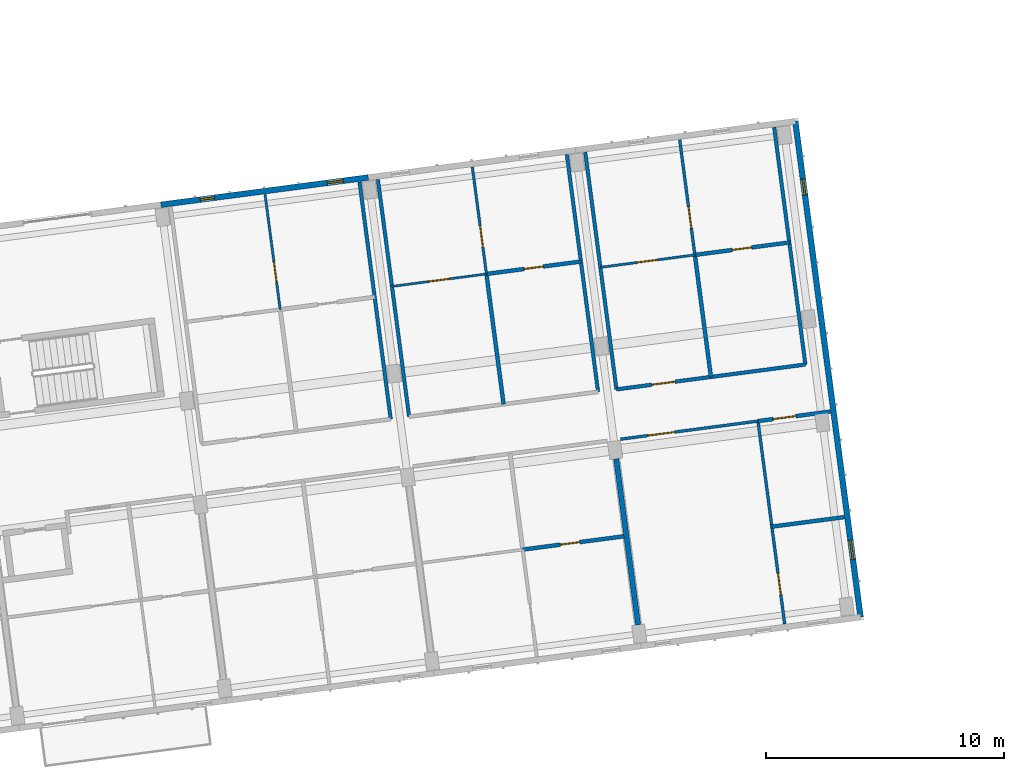
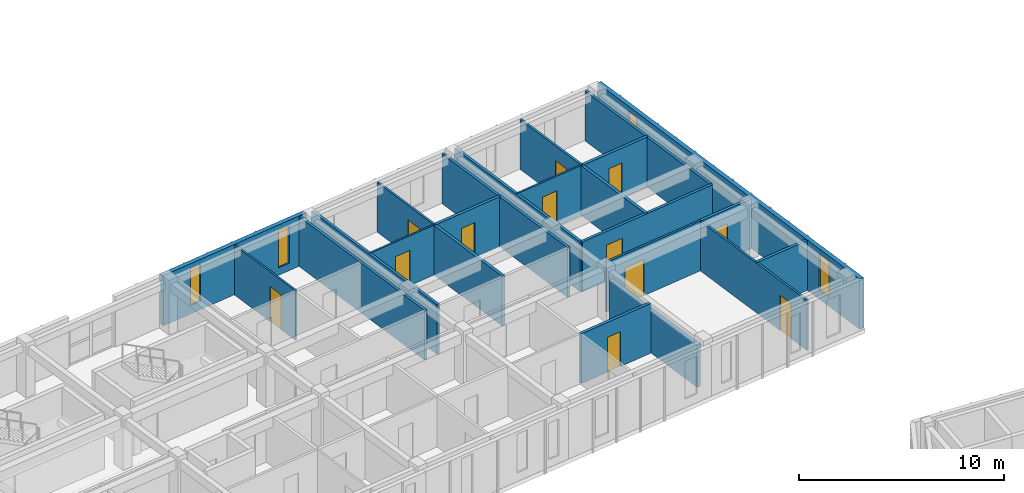
# One storey, part 24 of 66: 23 walls, 12 doors, 4 windows, 16 openings.
"""IFC4 building model written with IfcOpenShell, lengths in metres."""

from ifc_helpers import new_model, si_unit, direction, frame, frame_2d, origin, place, context, subcontext, project, spatial, rectangle, extrude, material, layer, layer_set, type_object, element, fill, save


model = new_model("IFC4")

# Units and contexts
model_context = context("Model", 3, precision=1e-05, world=origin(), true_north=direction((0.0, 1.0)))
body_context = subcontext(model_context, "Body", "Model", "MODEL_VIEW")
ifc_project = project(units=[si_unit("LENGTHUNIT", "METRE"), si_unit("AREAUNIT", "SQUARE_METRE"), si_unit("VOLUMEUNIT", "CUBIC_METRE"), si_unit("PLANEANGLEUNIT", "RADIAN"), si_unit("MASSUNIT", "GRAM", prefix="KILO")], contexts=[model_context])

# Site, building, storey
site_placement = place(None, origin())
site = spatial("IfcSite", under=ifc_project, at=site_placement, CompositionType="ELEMENT")
building_placement = place(site_placement, origin())
building = spatial("IfcBuilding", under=site, at=building_placement, Name="Kestramere Prow Commons", CompositionType="ELEMENT")
storey_placement = place(building_placement, frame((0.0, 0.0, 14.89990234375)))
storey = spatial("IfcBuildingStorey", under=building, at=storey_placement, Name="L04", CompositionType="ELEMENT", Elevation=14.89990234375)

# Wall, openings, windows
ifc_material_1 = material(Name="Fluoropolymer Standing-Seam Zinc-Aluminium Cladding", Category="aluminium")
ifc_layer_1 = layer(ifc_material_1, 0.239990234375)
ifc_layer_set_1 = layer_set([ifc_layer_1], Name="Fluoropolymer Standing-Seam Zinc-Aluminium Cladding")
wall_type_1 = type_object("IfcWallType", Name="EW-SEAM-240", PredefinedType="SOLIDWALL", material=ifc_layer_set_1)
wall_1_placement = place(storey_placement, frame((34.695068359375, 95.79541015625, 0.0), z_axis=(0.0, 0.0, 1.0), x_axis=(0.991447967712, 0.130502595073, 0.0)))
wall_1 = element("IfcWall", 1, at=wall_1_placement, inside=storey, type_object=wall_type_1, Name="Block A L04 North Standing-Seam Wall 4", PredefinedType="SOLIDWALL", context=body_context, shape_type="SweptSolid", body=[
    extrude(rectangle(XDim=8.800048828125, YDim=0.239990234375, at=frame_2d((4.39990234375, 0.0))), origin(), (0.0, 0.0, 1.0), 3.0),
])
opening_1_placement = place(wall_1_placement, frame((1.672119140625, 0.0, 0.5)))
opening_1 = element("IfcOpeningElement", 2, at=opening_1_placement, cuts=wall_1, Name="Opening WN-02", PredefinedType="OPENING", context=body_context, shape_type="SweptSolid", body=[
    extrude(rectangle(XDim=0.60009765625, YDim=2.219970703125, at=frame_2d((0.300048828125, 1.10986328125))), frame((0.0, 0.135009765625, 0.0), z_axis=(0.0, -1.0, 0.0), x_axis=(1.0, 0.0, 0.0)), (0.0, 0.0, 1.0), 0.27001953125),
])
opening_2_placement = place(wall_1_placement, frame((7.06591796875, 0.0, 0.43994140625)))
opening_2 = element("IfcOpeningElement", 3, at=opening_2_placement, cuts=wall_1, Name="Opening WN-06", PredefinedType="OPENING", context=body_context, shape_type="SweptSolid", body=[
    extrude(rectangle(XDim=0.679931640625, YDim=2.239990234375, at=frame_2d((0.33984375, 1.1201171875))), frame((0.0, 0.135009765625, 0.0), z_axis=(0.0, -1.0, 0.0), x_axis=(1.0, 0.0, 0.0)), (0.0, 0.0, 1.0), 0.27001953125),
])
ifc_material_2 = material(Name="Low-E Laminated Double Glazing", Category="glass")
window_type_1 = type_object("IfcWindowType", Name="WN-NAR-600A", PartitioningType="SINGLE_PANEL", PredefinedType="WINDOW", material=ifc_material_2)
window_1_placement = place(opening_1_placement, origin())
window_1 = element("IfcWindow", 4, at=window_1_placement, inside=storey, type_object=window_type_1, Name="WN-A-L04-N-3-0", OverallHeight=2.219970703125, OverallWidth=0.60009765625, PartitioningType="SINGLE_PANEL", PredefinedType="WINDOW", context=body_context, shape_type="SweptSolid", body=[
    extrude(rectangle(XDim=0.60009765625, YDim=2.219970703125, at=frame_2d((0.300048828125, 1.10986328125))), frame((0.0, 0.030029296875, 0.0), z_axis=(0.0, -1.0, 0.0), x_axis=(1.0, 0.0, 0.0)), (0.0, 0.0, 1.0), 0.06005859375),
])
fill(opening_1, window_1)
window_type_2 = type_object("IfcWindowType", Name="WN-NAR-680A", PartitioningType="SINGLE_PANEL", PredefinedType="WINDOW", material=ifc_material_2)
window_2_placement = place(opening_2_placement, origin())
window_2 = element("IfcWindow", 5, at=window_2_placement, inside=storey, type_object=window_type_2, Name="WN-A-L04-N-3-1", OverallHeight=2.239990234375, OverallWidth=0.679931640625, PartitioningType="SINGLE_PANEL", PredefinedType="WINDOW", context=body_context, shape_type="SweptSolid", body=[
    extrude(rectangle(XDim=0.679931640625, YDim=2.239990234375, at=frame_2d((0.33984375, 1.1201171875))), frame((0.0, 0.030029296875, 0.0), z_axis=(0.0, -1.0, 0.0), x_axis=(1.0, 0.0, 0.0)), (0.0, 0.0, 1.0), 0.06005859375),
])
fill(opening_2, window_2)

wall_2_placement = place(storey_placement, frame((61.3896484375, 99.309814453125, 0.0), z_axis=(0.0, 0.0, 1.0), x_axis=(0.13052411616, -0.99144513469, 0.0)))
wall_2 = element("IfcWall", 6, at=wall_2_placement, inside=storey, type_object=wall_type_1, Name="Block A L04 EAV Facet Wall", PredefinedType="SOLIDWALL", context=body_context, shape_type="SweptSolid", body=[
    extrude(rectangle(XDim=21.05029296875, YDim=0.239990234375, at=frame_2d((10.525146484375, 0.0))), origin(), (0.0, 0.0, 1.0), 3.0),
])
opening_3_placement = place(wall_2_placement, frame((2.449951171875, 0.0, 0.449951171875)))
opening_3 = element("IfcOpeningElement", 7, at=opening_3_placement, cuts=wall_2, Name="Opening WN-06", PredefinedType="OPENING", context=body_context, shape_type="SweptSolid", body=[
    extrude(rectangle(XDim=0.679931640625, YDim=2.239990234375, at=frame_2d((0.33984375, 1.1201171875))), frame((0.0, 0.135009765625, 0.0), z_axis=(0.0, -1.0, 0.0), x_axis=(1.0, 0.0, 0.0)), (0.0, 0.0, 1.0), 0.27001953125),
])
opening_4_placement = place(wall_2_placement, frame((17.780029296875, 0.0, 0.52001953125)))
opening_4 = element("IfcOpeningElement", 8, at=opening_4_placement, cuts=wall_2, Name="Opening WN-13", PredefinedType="OPENING", context=body_context, shape_type="SweptSolid", body=[
    extrude(rectangle(XDim=0.820068359375, YDim=2.179931640625, at=frame_2d((0.41015625, 1.08984375))), frame((0.0, 0.135009765625, 0.0), z_axis=(0.0, -1.0, 0.0), x_axis=(1.0, 0.0, 0.0)), (0.0, 0.0, 1.0), 0.27001953125),
])
window_3_placement = place(opening_3_placement, origin())
window_3 = element("IfcWindow", 9, at=window_3_placement, inside=storey, type_object=window_type_2, Name="WN-A-L04-EAV-0", OverallHeight=2.239990234375, OverallWidth=0.679931640625, PartitioningType="SINGLE_PANEL", PredefinedType="WINDOW", context=body_context, shape_type="SweptSolid", body=[
    extrude(rectangle(XDim=0.679931640625, YDim=2.239990234375, at=frame_2d((0.33984375, 1.1201171875))), frame((0.0, 0.030029296875, 0.0), z_axis=(0.0, -1.0, 0.0), x_axis=(1.0, 0.0, 0.0)), (0.0, 0.0, 1.0), 0.06005859375),
])
fill(opening_3, window_3)
window_type_3 = type_object("IfcWindowType", Name="WN-NAR-820A", PartitioningType="DOUBLE_PANEL_VERTICAL", PredefinedType="WINDOW", material=ifc_material_2)
window_4_placement = place(opening_4_placement, origin())
window_4 = element("IfcWindow", 10, at=window_4_placement, inside=storey, type_object=window_type_3, Name="WN-A-L04-EAV-1", OverallHeight=2.179931640625, OverallWidth=0.820068359375, PartitioningType="SINGLE_PANEL", PredefinedType="WINDOW", context=body_context, shape_type="SweptSolid", body=[
    extrude(rectangle(XDim=0.820068359375, YDim=2.179931640625, at=frame_2d((0.41015625, 1.08984375))), frame((0.0, 0.030029296875, 0.0), z_axis=(0.0, -1.0, 0.0), x_axis=(1.0, 0.0, 0.0)), (0.0, 0.0, 1.0), 0.06005859375),
])
fill(opening_4, window_4)

# Wall, opening, door
ifc_material_3 = material(Name="Fire-Rated Calcium Silicate Wall")
ifc_layer_2 = layer(ifc_material_3, 0.155029296875)
ifc_layer_set_2 = layer_set([ifc_layer_2], Name="Fire-Rated Calcium Silicate Wall")
wall_type_2 = type_object("IfcWallType", Name="W-FIRE-150", PredefinedType="PARTITIONING", material=ifc_layer_set_2)
wall_3_placement = place(storey_placement, frame((53.86328125, 88.02587890625, 0.0), z_axis=(0.0, 0.0, 1.0), x_axis=(0.991447973994, 0.130502547346, 0.0)))
wall_3 = element("IfcWall", 11, at=wall_3_placement, inside=storey, type_object=wall_type_2, Name="Interior Partition PW-A-L04-CN-5", PredefinedType="PARTITIONING", context=body_context, shape_type="SweptSolid", body=[
    extrude(rectangle(XDim=8.02001953125, YDim=0.155029296875, at=frame_2d((4.010009765625, 0.0))), origin(), (0.0, 0.0, 1.0), 2.97021484375),
])
opening_5_placement = place(wall_3_placement, frame((1.5048828125, 0.0, 0.0)))
opening_5 = element("IfcOpeningElement", 12, at=opening_5_placement, cuts=wall_3, Name="Opening ID-04", PredefinedType="OPENING", context=body_context, shape_type="SweptSolid", body=[
    extrude(rectangle(XDim=0.97998046875, YDim=2.14990234375, at=frame_2d((0.489990234375, 1.074951171875))), frame((0.0, 0.092529296875, 0.0), z_axis=(0.0, -1.0, 0.0), x_axis=(1.0, 0.0, 0.0)), (0.0, 0.0, 1.0), 0.18505859375),
])
ifc_material_4 = material(Name="Hardwood Fire-Rated Flat Entrance Door", Category="wood")
door_type_1 = type_object("IfcDoorType", Name="FD-ENT-01", OperationType="NOTDEFINED", PredefinedType="DOOR", material=ifc_material_4)
door_1_placement = place(opening_5_placement, origin())
door_1 = element("IfcDoor", 13, at=door_1_placement, inside=storey, type_object=door_type_1, Name="Interior Door DR-A-L04-ENT-N5", OperationType="SINGLE_SWING_RIGHT", OverallHeight=2.14990234375, OverallWidth=0.97998046875, PredefinedType="DOOR", context=body_context, shape_type="SweptSolid", body=[
    extrude(rectangle(XDim=0.97998046875, YDim=2.14990234375, at=frame_2d((0.489990234375, 1.074951171875))), frame((0.0, 0.02490234375, 0.0), z_axis=(0.0, -1.0, 0.0), x_axis=(1.0, 0.0, 0.0)), (0.0, 0.0, 1.0), 0.050048828125),
])
fill(opening_5, door_1)

ifc_material_5 = material(Name="Gypsum Acoustic Drywall")
ifc_layer_3 = layer(ifc_material_5, 0.10009765625)
ifc_layer_set_3 = layer_set([ifc_layer_3], Name="Gypsum Acoustic Drywall")
wall_type_3 = type_object("IfcWallType", Name="W-PART-100", PredefinedType="PARTITIONING", material=ifc_layer_set_3)
wall_4_placement = place(storey_placement, frame((39.71337890625, 91.3876953125, 0.0), z_axis=(0.0, 0.0, 1.0), x_axis=(-0.130557831536, 0.991440695465, 0.0)))
wall_4 = element("IfcWall", 14, at=wall_4_placement, inside=storey, type_object=wall_type_3, Name="Interior Partition PW-A-L04-LB-N3", PredefinedType="PARTITIONING", context=body_context, shape_type="SweptSolid", body=[
    extrude(rectangle(XDim=4.889892578125, YDim=0.10009765625, at=frame_2d((2.44482421875, 0.0))), origin(), (0.0, 0.0, 1.0), 2.97021484375),
])
opening_6_placement = place(wall_4_placement, frame((1.14990234375, 0.0, 0.0)))
opening_6 = element("IfcOpeningElement", 15, at=opening_6_placement, cuts=wall_4, Name="Opening ID-10", PredefinedType="OPENING", context=body_context, shape_type="SweptSolid", body=[
    extrude(rectangle(XDim=0.8798828125, YDim=2.10009765625, at=frame_2d((0.43994140625, 1.050048828125))), frame((0.0, 0.06494140625, 0.0), z_axis=(0.0, -1.0, 0.0), x_axis=(1.0, 0.0, 0.0)), (0.0, 0.0, 1.0), 0.130126953125),
])
ifc_material_6 = material(Name="Engineered Timber Bedroom Door", Category="wood")
door_type_2 = type_object("IfcDoorType", Name="D-RM-03", OperationType="NOTDEFINED", PredefinedType="DOOR", material=ifc_material_6)
door_2_placement = place(opening_6_placement, origin())
door_2 = element("IfcDoor", 16, at=door_2_placement, inside=storey, type_object=door_type_2, Name="Interior Door DR-A-L04-BED-N3", OperationType="SINGLE_SWING_LEFT", OverallHeight=2.10009765625, OverallWidth=0.8798828125, PredefinedType="DOOR", context=body_context, shape_type="SweptSolid", body=[
    extrude(rectangle(XDim=0.8798828125, YDim=2.10009765625, at=frame_2d((0.43994140625, 1.050048828125))), frame((0.0, 0.02490234375, 0.0), z_axis=(0.0, -1.0, 0.0), x_axis=(1.0, 0.0, 0.0)), (0.0, 0.0, 1.0), 0.050048828125),
])
fill(opening_6, door_2)

wall_5_placement = place(storey_placement, frame((53.18701171875, 93.161376953125, 0.0), z_axis=(0.0, 0.0, 1.0), x_axis=(0.991444553502, 0.130528530716, 0.0)))
wall_5 = element("IfcWall", 17, at=wall_5_placement, inside=storey, type_object=wall_type_3, Name="Interior Partition PW-A-L04-MIDN1-5", PredefinedType="PARTITIONING", context=body_context, shape_type="SweptSolid", body=[
    extrude(rectangle(XDim=4.01025390625, YDim=0.10009765625, at=frame_2d((2.005126953125, 0.0))), origin(), (0.0, 0.0, 1.0), 2.97021484375),
])
opening_7_placement = place(wall_5_placement, frame((1.554931640625, 0.0, 0.0)))
opening_7 = element("IfcOpeningElement", 18, at=opening_7_placement, cuts=wall_5, Name="Opening ID-10", PredefinedType="OPENING", context=body_context, shape_type="SweptSolid", body=[
    extrude(rectangle(XDim=0.8798828125, YDim=2.10009765625, at=frame_2d((0.43994140625, 1.050048828125))), frame((0.0, 0.06494140625, 0.0), z_axis=(0.0, -1.0, 0.0), x_axis=(1.0, 0.0, 0.0)), (0.0, 0.0, 1.0), 0.130126953125),
])
door_3_placement = place(opening_7_placement, origin())
door_3 = element("IfcDoor", 19, at=door_3_placement, inside=storey, type_object=door_type_2, Name="Interior Door DR-A-L04-KL-N5", OperationType="SINGLE_SWING_LEFT", OverallHeight=2.10009765625, OverallWidth=0.8798828125, PredefinedType="DOOR", context=body_context, shape_type="SweptSolid", body=[
    extrude(rectangle(XDim=0.8798828125, YDim=2.10009765625, at=frame_2d((0.43994140625, 1.050048828125))), frame((0.0, 0.02490234375, 0.0), z_axis=(0.0, -1.0, 0.0), x_axis=(1.0, 0.0, 0.0)), (0.0, 0.0, 1.0), 0.050048828125),
])
fill(opening_7, door_3)

ifc_layer_4 = layer(ifc_material_5, 0.110107421875)
ifc_layer_set_4 = layer_set([ifc_layer_4], Name="Gypsum Acoustic Drywall")
wall_type_4 = type_object("IfcWallType", Name="W-PART-110", PredefinedType="PARTITIONING", material=ifc_layer_set_4)
wall_6_placement = place(storey_placement, frame((48.392333984375, 92.88330078125, 0.0), z_axis=(0.0, 0.0, 1.0), x_axis=(-0.130518503748, 0.99144587355, 0.0)))
wall_6 = element("IfcWall", 20, at=wall_6_placement, inside=storey, type_object=wall_type_4, Name="Interior Partition PW-A-L04-LB-N4", PredefinedType="PARTITIONING", context=body_context, shape_type="SweptSolid", body=[
    extrude(rectangle(XDim=4.539794921875, YDim=0.110107421875, at=frame_2d((2.27001953125, 0.0))), origin(), (0.0, 0.0, 1.0), 2.97021484375),
])
opening_8_placement = place(wall_6_placement, frame((1.14990234375, 0.0, 0.0)))
opening_8 = element("IfcOpeningElement", 21, at=opening_8_placement, cuts=wall_6, Name="Opening ID-08", PredefinedType="OPENING", context=body_context, shape_type="SweptSolid", body=[
    extrude(rectangle(XDim=0.89990234375, YDim=2.10009765625, at=frame_2d((0.449951171875, 1.050048828125))), frame((0.0, 0.070068359375, 0.0), z_axis=(0.0, -1.0, 0.0), x_axis=(1.0, 0.0, 0.0)), (0.0, 0.0, 1.0), 0.14013671875),
])
ifc_material_7 = material(Name="Engineered Timber Flush Door", Category="wood")
door_type_3 = type_object("IfcDoorType", Name="D-RM-01", OperationType="NOTDEFINED", PredefinedType="DOOR", material=ifc_material_7)
door_4_placement = place(opening_8_placement, origin())
door_4 = element("IfcDoor", 22, at=door_4_placement, inside=storey, type_object=door_type_3, Name="Interior Door DR-A-L04-BED-N4", OperationType="SINGLE_SWING_LEFT", OverallHeight=2.10009765625, OverallWidth=0.89990234375, PredefinedType="DOOR", context=body_context, shape_type="SweptSolid", body=[
    extrude(rectangle(XDim=0.89990234375, YDim=2.10009765625, at=frame_2d((0.449951171875, 1.050048828125))), frame((0.0, 0.02490234375, 0.0), z_axis=(0.0, -1.0, 0.0), x_axis=(1.0, 0.0, 0.0)), (0.0, 0.0, 1.0), 0.050048828125),
])
fill(opening_8, door_4)

ifc_material_8 = material(Name="Lightweight Blockwork and Plaster", Category="masonry")
ifc_layer_5 = layer(ifc_material_8, 0.1201171875)
ifc_layer_set_5 = layer_set([ifc_layer_5], Name="Lightweight Blockwork and Plaster")
wall_type_5 = type_object("IfcWallType", Name="W-PART-120", PredefinedType="PARTITIONING", material=ifc_layer_set_5)
wall_7_placement = place(storey_placement, frame((54.033203125, 85.929931640625, 0.0), z_axis=(0.0, 0.0, 1.0), x_axis=(0.991442898952, 0.130541097431, 0.0)))
wall_7 = element("IfcWall", 23, at=wall_7_placement, inside=storey, type_object=wall_type_5, Name="Interior Partition PW-A-L04-CS-5A", PredefinedType="PARTITIONING", context=body_context, shape_type="SweptSolid", body=[
    extrude(rectangle(XDim=5.835205078125, YDim=0.1201171875, at=frame_2d((2.91748046875, 0.0))), origin(), (0.0, 0.0, 1.0), 2.97021484375),
])
opening_9_placement = place(wall_7_placement, frame((1.14990234375, 0.0, 0.0)))
opening_9 = element("IfcOpeningElement", 24, at=opening_9_placement, cuts=wall_7, Name="Opening ID-09", PredefinedType="OPENING", context=body_context, shape_type="SweptSolid", body=[
    extrude(rectangle(XDim=1.14990234375, YDim=2.14990234375, at=frame_2d((0.574951171875, 1.074951171875))), frame((0.0, 0.074951171875, 0.0), z_axis=(0.0, -1.0, 0.0), x_axis=(1.0, 0.0, 0.0)), (0.0, 0.0, 1.0), 0.150146484375),
])
ifc_material_9 = material(Name="Engineered Timber Acoustic Door", Category="wood")
door_type_4 = type_object("IfcDoorType", Name="D-RM-02", OperationType="NOTDEFINED", PredefinedType="DOOR", material=ifc_material_9)
door_5_placement = place(opening_9_placement, origin())
door_5 = element("IfcDoor", 25, at=door_5_placement, inside=storey, type_object=door_type_4, Name="Interior Door DR-A-L04-SKY-5", OperationType="SINGLE_SWING_LEFT", OverallHeight=2.14990234375, OverallWidth=1.14990234375, PredefinedType="DOOR", context=body_context, shape_type="SweptSolid", body=[
    extrude(rectangle(XDim=1.14990234375, YDim=2.14990234375, at=frame_2d((0.574951171875, 1.074951171875))), frame((0.0, 0.02490234375, 0.0), z_axis=(0.0, -1.0, 0.0), x_axis=(1.0, 0.0, 0.0)), (0.0, 0.0, 1.0), 0.050048828125),
])
fill(opening_9, door_5)

wall_8_placement = place(storey_placement, frame((60.942138671875, 78.1552734375, 0.0), z_axis=(0.0, 0.0, 1.0), x_axis=(-0.13051979335, 0.99144570378, 0.0)))
wall_8 = element("IfcWall", 26, at=wall_8_placement, inside=storey, type_object=wall_type_5, Name="Interior Partition PW-A-L04-SKDV-5", PredefinedType="PARTITIONING", context=body_context, shape_type="SweptSolid", body=[
    extrude(rectangle(XDim=8.610107421875, YDim=0.1201171875, at=frame_2d((4.30517578125, 0.0))), origin(), (0.0, 0.0, 1.0), 2.97021484375),
])
opening_10_placement = place(wall_8_placement, frame((1.25, 0.0, 0.0)))
opening_10 = element("IfcOpeningElement", 27, at=opening_10_placement, cuts=wall_8, Name="Opening ID-08", PredefinedType="OPENING", context=body_context, shape_type="SweptSolid", body=[
    extrude(rectangle(XDim=0.89990234375, YDim=2.10009765625, at=frame_2d((0.449951171875, 1.050048828125))), frame((0.0, 0.074951171875, 0.0), z_axis=(0.0, -1.0, 0.0), x_axis=(1.0, 0.0, 0.0)), (0.0, 0.0, 1.0), 0.150146484375),
])
door_6_placement = place(opening_10_placement, origin())
door_6 = element("IfcDoor", 28, at=door_6_placement, inside=storey, type_object=door_type_3, Name="Interior Door DR-A-L04-SKAL-5", OperationType="SINGLE_SWING_LEFT", OverallHeight=2.10009765625, OverallWidth=0.89990234375, PredefinedType="DOOR", context=body_context, shape_type="SweptSolid", body=[
    extrude(rectangle(XDim=0.89990234375, YDim=2.10009765625, at=frame_2d((0.449951171875, 1.050048828125))), frame((0.0, 0.02490234375, 0.0), z_axis=(0.0, -1.0, 0.0), x_axis=(1.0, 0.0, 0.0)), (0.0, 0.0, 1.0), 0.050048828125),
])
fill(opening_10, door_6)

wall_9_placement = place(storey_placement, frame((57.162841796875, 93.684814453125, 0.0), z_axis=(0.0, 0.0, 1.0), x_axis=(-0.130557831536, 0.991440695465, 0.0)))
wall_9 = element("IfcWall", 29, at=wall_9_placement, inside=storey, type_object=wall_type_5, Name="Interior Partition PW-A-L04-LB-N5", PredefinedType="PARTITIONING", context=body_context, shape_type="SweptSolid", body=[
    extrude(rectangle(XDim=4.889892578125, YDim=0.1201171875, at=frame_2d((2.44482421875, 0.0))), origin(), (0.0, 0.0, 1.0), 2.97021484375),
])
opening_11_placement = place(wall_9_placement, frame((1.14990234375, 0.0, 0.0)))
opening_11 = element("IfcOpeningElement", 30, at=opening_11_placement, cuts=wall_9, Name="Opening ID-08", PredefinedType="OPENING", context=body_context, shape_type="SweptSolid", body=[
    extrude(rectangle(XDim=0.89990234375, YDim=2.10009765625, at=frame_2d((0.449951171875, 1.050048828125))), frame((0.0, 0.074951171875, 0.0), z_axis=(0.0, -1.0, 0.0), x_axis=(1.0, 0.0, 0.0)), (0.0, 0.0, 1.0), 0.150146484375),
])
door_7_placement = place(opening_11_placement, origin())
door_7 = element("IfcDoor", 31, at=door_7_placement, inside=storey, type_object=door_type_3, Name="Interior Door DR-A-L04-BED-N5", OperationType="SINGLE_SWING_LEFT", OverallHeight=2.10009765625, OverallWidth=0.89990234375, PredefinedType="DOOR", context=body_context, shape_type="SweptSolid", body=[
    extrude(rectangle(XDim=0.89990234375, YDim=2.10009765625, at=frame_2d((0.449951171875, 1.050048828125))), frame((0.0, 0.02490234375, 0.0), z_axis=(0.0, -1.0, 0.0), x_axis=(1.0, 0.0, 0.0)), (0.0, 0.0, 1.0), 0.050048828125),
])
fill(opening_11, door_7)

# Walls
ifc_material_10 = material(Name="Masonry Compartment Wall", Category="masonry")
ifc_layer_6 = layer(ifc_material_10, 0.14990234375)
ifc_layer_set_6 = layer_set([ifc_layer_6], Name="Masonry Compartment Wall")
wall_type_6 = type_object("IfcWallType", Name="W-PART-150", PredefinedType="PARTITIONING", material=ifc_layer_set_6)
for number, where, z_axis, x_axis, name in (
    (32, (44.365234375, 86.775390625, 0.0), (0.0, 0.0, 1.0), (-0.130531024319, 0.991444225204, 0.0), "Interior Partition PW-A-L04-NWR-3"),
    (33, (45.138427734375, 86.877197265625, 0.0), (0.0, 0.0, 1.0), (-0.130531024319, 0.991444225204, 0.0), "Interior Partition PW-A-L04-NWL-4"),
):
    element("IfcWall", number, at=place(storey_placement, frame(where, z_axis=z_axis, x_axis=x_axis)), inside=storey, type_object=wall_type_6, Name=name, PredefinedType="PARTITIONING", context=body_context, shape_type="SweptSolid", body=[
        extrude(rectangle(XDim=10.070068359375, YDim=0.14990234375, at=frame_2d((5.03515625, 0.0))), origin(), (0.0, 0.0, 1.0), 2.97021484375),
    ])
for number, where, z_axis, x_axis, name in (
    (34, (53.08984375, 87.924072265625, 0.0), (0.0, 0.0, 1.0), (-0.130534161944, 0.991443812107, 0.0), "Interior Partition PW-A-L04-NWR-4"),
    (35, (53.86328125, 88.02587890625, 0.0), (0.0, 0.0, 1.0), (-0.130534161944, 0.991443812107, 0.0), "Interior Partition PW-A-L04-NWL-5"),
):
    element("IfcWall", number, at=place(storey_placement, frame(where, z_axis=z_axis, x_axis=x_axis)), inside=storey, type_object=wall_type_6, Name=name, PredefinedType="PARTITIONING", context=body_context, shape_type="SweptSolid", body=[
        extrude(rectangle(XDim=10.06982421875, YDim=0.14990234375, at=frame_2d((5.034912109375, 0.0))), origin(), (0.0, 0.0, 1.0), 2.97021484375),
    ])
wall_10_placement = place(storey_placement, frame((61.814697265625, 89.072509765625, 0.0), z_axis=(0.0, 0.0, 1.0), x_axis=(-0.130531024319, 0.991444225204, 0.0)))
element("IfcWall", 36, at=wall_10_placement, inside=storey, type_object=wall_type_6, Name="Interior Partition PW-A-L04-NWR-5", PredefinedType="PARTITIONING", context=body_context, shape_type="SweptSolid", body=[
    extrude(rectangle(XDim=10.070068359375, YDim=0.14990234375, at=frame_2d((5.03515625, 0.0))), origin(), (0.0, 0.0, 1.0), 2.97021484375),
])

# Wall, opening, door
ifc_layer_7 = layer(ifc_material_5, 0.094970703125)
ifc_layer_set_7 = layer_set([ifc_layer_7], Name="Gypsum Acoustic Drywall")
wall_type_7 = type_object("IfcWallType", Name="W-PART-95", PredefinedType="PARTITIONING", material=ifc_layer_set_7)
wall_11_placement = place(storey_placement, frame((44.416748046875, 92.35986328125, 0.0), z_axis=(0.0, 0.0, 1.0), x_axis=(0.991443516139, 0.130536409887, 0.0)))
wall_11 = element("IfcWall", 37, at=wall_11_placement, inside=storey, type_object=wall_type_7, Name="Interior Partition PW-A-L04-MIDN1-4", PredefinedType="PARTITIONING", context=body_context, shape_type="SweptSolid", body=[
    extrude(rectangle(XDim=4.010009765625, YDim=0.094970703125, at=frame_2d((2.0048828125, 0.0))), origin(), (0.0, 0.0, 1.0), 2.97021484375),
])
opening_12_placement = place(wall_11_placement, frame((1.554931640625, 0.0, 0.0)))
opening_12 = element("IfcOpeningElement", 38, at=opening_12_placement, cuts=wall_11, Name="Opening ID-08", PredefinedType="OPENING", context=body_context, shape_type="SweptSolid", body=[
    extrude(rectangle(XDim=0.89990234375, YDim=2.10009765625, at=frame_2d((0.449951171875, 1.050048828125))), frame((0.0, 0.0625, 0.0), z_axis=(0.0, -1.0, 0.0), x_axis=(1.0, 0.0, 0.0)), (0.0, 0.0, 1.0), 0.125),
])
door_8_placement = place(opening_12_placement, origin())
door_8 = element("IfcDoor", 39, at=door_8_placement, inside=storey, type_object=door_type_3, Name="Interior Door DR-A-L04-KL-N4", OperationType="SINGLE_SWING_LEFT", OverallHeight=2.10009765625, OverallWidth=0.89990234375, PredefinedType="DOOR", context=body_context, shape_type="SweptSolid", body=[
    extrude(rectangle(XDim=0.89990234375, YDim=2.10009765625, at=frame_2d((0.449951171875, 1.050048828125))), frame((0.0, 0.02490234375, 0.0), z_axis=(0.0, -1.0, 0.0), x_axis=(1.0, 0.0, 0.0)), (0.0, 0.0, 1.0), 0.050048828125),
])
fill(opening_12, door_8)

ifc_material_11 = material(Name="Waterproof Sanitary Masonry Wall", Category="masonry")
ifc_layer_8 = layer(ifc_material_11, 0.1650390625)
ifc_layer_set_8 = layer_set([ifc_layer_8], Name="Waterproof Sanitary Masonry Wall")
wall_type_8 = type_object("IfcWallType", Name="W-PLUMB-150", PredefinedType="PLUMBINGWALL", material=ifc_layer_set_8)
wall_12_placement = place(storey_placement, frame((49.91943359375, 81.283447265625, 0.0), z_axis=(0.0, 0.0, 1.0), x_axis=(0.991452356241, 0.130469250419, 0.0)))
wall_12 = element("IfcWall", 40, at=wall_12_placement, inside=storey, type_object=wall_type_8, Name="Interior Partition PW-A-L04-MIDS2-4", PredefinedType="PLUMBINGWALL", context=body_context, shape_type="SweptSolid", body=[
    extrude(rectangle(XDim=4.28515625, YDim=0.1650390625, at=frame_2d((2.142578125, 0.0))), origin(), (0.0, 0.0, 1.0), 2.97021484375),
])
opening_13_placement = place(wall_12_placement, frame((1.60009765625, 0.0, 0.0)))
opening_13 = element("IfcOpeningElement", 41, at=opening_13_placement, cuts=wall_12, Name="Opening ID-11", PredefinedType="OPENING", context=body_context, shape_type="SweptSolid", body=[
    extrude(rectangle(XDim=0.820068359375, YDim=2.080078125, at=frame_2d((0.41015625, 1.0400390625))), frame((0.0, 0.097412109375, 0.0), z_axis=(0.0, -1.0, 0.0), x_axis=(1.0, 0.0, 0.0)), (0.0, 0.0, 1.0), 0.195068359375),
])
ifc_material_12 = material(Name="Moisture-Resistant Timber Bathroom Door", Category="wood")
door_type_5 = type_object("IfcDoorType", Name="D-BT-01", OperationType="NOTDEFINED", PredefinedType="DOOR", material=ifc_material_12)
door_9_placement = place(opening_13_placement, origin())
door_9 = element("IfcDoor", 42, at=door_9_placement, inside=storey, type_object=door_type_5, Name="Interior Door DR-A-L04-BTH-S4", OperationType="SINGLE_SWING_LEFT", OverallHeight=2.080078125, OverallWidth=0.820068359375, PredefinedType="DOOR", context=body_context, shape_type="SweptSolid", body=[
    extrude(rectangle(XDim=0.820068359375, YDim=2.080078125, at=frame_2d((0.41015625, 1.0400390625))), frame((0.0, 0.02490234375, 0.0), z_axis=(0.0, -1.0, 0.0), x_axis=(1.0, 0.0, 0.0)), (0.0, 0.0, 1.0), 0.050048828125),
])
fill(opening_13, door_9)

wall_13_placement = place(storey_placement, frame((59.818359375, 86.691650390625, 0.0), z_axis=(0.0, 0.0, 1.0), x_axis=(0.991444293548, 0.130530505213, 0.0)))
wall_13 = element("IfcWall", 43, at=wall_13_placement, inside=storey, type_object=wall_type_8, Name="Interior Partition PW-A-L04-CS-5B", PredefinedType="PLUMBINGWALL", context=body_context, shape_type="SweptSolid", body=[
    extrude(rectangle(XDim=3.074951171875, YDim=0.1650390625, at=frame_2d((1.53759765625, 0.0))), origin(), (0.0, 0.0, 1.0), 2.97021484375),
])
opening_14_placement = place(wall_13_placement, frame((0.64990234375, 0.0, 0.0)))
opening_14 = element("IfcOpeningElement", 44, at=opening_14_placement, cuts=wall_13, Name="Opening ID-13", PredefinedType="OPENING", context=body_context, shape_type="SweptSolid", body=[
    extrude(rectangle(XDim=0.9599609375, YDim=2.1201171875, at=frame_2d((0.47998046875, 1.06005859375))), frame((0.0, 0.097412109375, 0.0), z_axis=(0.0, -1.0, 0.0), x_axis=(1.0, 0.0, 0.0)), (0.0, 0.0, 1.0), 0.195068359375),
])
ifc_material_13 = material(Name="Accessible Wide-Leaf Timber Door", Category="wood")
door_type_6 = type_object("IfcDoorType", Name="D-ACC-01", OperationType="NOTDEFINED", PredefinedType="DOOR", material=ifc_material_13)
door_10_placement = place(opening_14_placement, origin())
door_10 = element("IfcDoor", 45, at=door_10_placement, inside=storey, type_object=door_type_6, Name="Interior Door DR-A-L04-SKWC-5", OperationType="SINGLE_SWING_RIGHT", OverallHeight=2.1201171875, OverallWidth=0.9599609375, PredefinedType="DOOR", context=body_context, shape_type="SweptSolid", body=[
    extrude(rectangle(XDim=0.9599609375, YDim=2.1201171875, at=frame_2d((0.47998046875, 1.06005859375))), frame((0.0, 0.02490234375, 0.0), z_axis=(0.0, -1.0, 0.0), x_axis=(1.0, 0.0, 0.0)), (0.0, 0.0, 1.0), 0.050048828125),
])
fill(opening_14, door_10)

# Wall
wall_14_placement = place(storey_placement, frame((60.403076171875, 82.25, 0.0), z_axis=(0.0, 0.0, 1.0), x_axis=(0.991444293548, 0.130530505213, 0.0)))
element("IfcWall", 46, at=wall_14_placement, inside=storey, type_object=wall_type_8, Name="Interior Partition PW-A-L04-SKHZ-5", PredefinedType="PLUMBINGWALL", context=body_context, shape_type="SweptSolid", body=[
    extrude(rectangle(XDim=3.074951171875, YDim=0.1650390625, at=frame_2d((1.53759765625, 0.0))), origin(), (0.0, 0.0, 1.0), 2.97021484375),
])

# Wall, opening, door
wall_15_placement = place(storey_placement, frame((48.392333984375, 92.88330078125, 0.0), z_axis=(0.0, 0.0, 1.0), x_axis=(0.991444553502, 0.130528530716, 0.0)))
wall_15 = element("IfcWall", 47, at=wall_15_placement, inside=storey, type_object=wall_type_8, Name="Interior Partition PW-A-L04-MIDN2-4", PredefinedType="PLUMBINGWALL", context=body_context, shape_type="SweptSolid", body=[
    extrude(rectangle(XDim=4.01025390625, YDim=0.1650390625, at=frame_2d((2.005126953125, 0.0))), origin(), (0.0, 0.0, 1.0), 2.97021484375),
])
opening_15_placement = place(wall_15_placement, frame((1.594970703125, 0.0, 0.0)))
opening_15 = element("IfcOpeningElement", 48, at=opening_15_placement, cuts=wall_15, Name="Opening ID-11", PredefinedType="OPENING", context=body_context, shape_type="SweptSolid", body=[
    extrude(rectangle(XDim=0.820068359375, YDim=2.080078125, at=frame_2d((0.41015625, 1.0400390625))), frame((0.0, 0.097412109375, 0.0), z_axis=(0.0, -1.0, 0.0), x_axis=(1.0, 0.0, 0.0)), (0.0, 0.0, 1.0), 0.195068359375),
])
door_11_placement = place(opening_15_placement, origin())
door_11 = element("IfcDoor", 49, at=door_11_placement, inside=storey, type_object=door_type_5, Name="Interior Door DR-A-L04-BTH-N4", OperationType="SINGLE_SWING_RIGHT", OverallHeight=2.080078125, OverallWidth=0.820068359375, PredefinedType="DOOR", context=body_context, shape_type="SweptSolid", body=[
    extrude(rectangle(XDim=0.820068359375, YDim=2.080078125, at=frame_2d((0.41015625, 1.0400390625))), frame((0.0, 0.02490234375, 0.0), z_axis=(0.0, -1.0, 0.0), x_axis=(1.0, 0.0, 0.0)), (0.0, 0.0, 1.0), 0.050048828125),
])
fill(opening_15, door_11)

# Wall
wall_16_placement = place(storey_placement, frame((49.1142578125, 87.400634765625, 0.0), z_axis=(0.0, 0.0, 1.0), x_axis=(-0.130547016415, 0.991442119594, 0.0)))
element("IfcWall", 50, at=wall_16_placement, inside=storey, type_object=wall_type_8, Name="Interior Partition PW-A-L04-KB-N4", PredefinedType="PLUMBINGWALL", context=body_context, shape_type="SweptSolid", body=[
    extrude(rectangle(XDim=5.530029296875, YDim=0.1650390625, at=frame_2d((2.76513671875, 0.0))), origin(), (0.0, 0.0, 1.0), 2.97021484375),
])

# Wall, opening, door
wall_17_placement = place(storey_placement, frame((57.162841796875, 93.684814453125, 0.0), z_axis=(0.0, 0.0, 1.0), x_axis=(0.991443516139, 0.130536409887, 0.0)))
wall_17 = element("IfcWall", 51, at=wall_17_placement, inside=storey, type_object=wall_type_8, Name="Interior Partition PW-A-L04-MIDN2-5", PredefinedType="PLUMBINGWALL", context=body_context, shape_type="SweptSolid", body=[
    extrude(rectangle(XDim=4.010009765625, YDim=0.1650390625, at=frame_2d((2.0048828125, 0.0))), origin(), (0.0, 0.0, 1.0), 2.97021484375),
])
opening_16_placement = place(wall_17_placement, frame((1.594970703125, 0.0, 0.0)))
opening_16 = element("IfcOpeningElement", 52, at=opening_16_placement, cuts=wall_17, Name="Opening ID-11", PredefinedType="OPENING", context=body_context, shape_type="SweptSolid", body=[
    extrude(rectangle(XDim=0.820068359375, YDim=2.080078125, at=frame_2d((0.41015625, 1.0400390625))), frame((0.0, 0.097412109375, 0.0), z_axis=(0.0, -1.0, 0.0), x_axis=(1.0, 0.0, 0.0)), (0.0, 0.0, 1.0), 0.195068359375),
])
door_12_placement = place(opening_16_placement, origin())
door_12 = element("IfcDoor", 53, at=door_12_placement, inside=storey, type_object=door_type_5, Name="Interior Door DR-A-L04-BTH-N5", OperationType="SINGLE_SWING_RIGHT", OverallHeight=2.080078125, OverallWidth=0.820068359375, PredefinedType="DOOR", context=body_context, shape_type="SweptSolid", body=[
    extrude(rectangle(XDim=0.820068359375, YDim=2.080078125, at=frame_2d((0.41015625, 1.0400390625))), frame((0.0, 0.02490234375, 0.0), z_axis=(0.0, -1.0, 0.0), x_axis=(1.0, 0.0, 0.0)), (0.0, 0.0, 1.0), 0.050048828125),
])
fill(opening_16, door_12)

# Walls
wall_18_placement = place(storey_placement, frame((57.8388671875, 88.549072265625, 0.0), z_axis=(0.0, 0.0, 1.0), x_axis=(-0.130505718023, 0.991447556638, 0.0)))
element("IfcWall", 54, at=wall_18_placement, inside=storey, type_object=wall_type_8, Name="Interior Partition PW-A-L04-KB-N5", PredefinedType="PLUMBINGWALL", context=body_context, shape_type="SweptSolid", body=[
    extrude(rectangle(XDim=5.179931640625, YDim=0.1650390625, at=frame_2d((2.58984375, 0.0))), origin(), (0.0, 0.0, 1.0), 2.97021484375),
])
ifc_material_14 = material(Name="Precast concrete C40/50", Category="concrete")
ifc_layer_9 = layer(ifc_material_14, 0.219970703125)
ifc_layer_set_9 = layer_set([ifc_layer_9], Name="Precast concrete C40/50")
wall_type_9 = type_object("IfcWallType", Name="W-XWALL-220", PredefinedType="SHEAR", material=ifc_layer_set_9)
wall_19_placement = place(storey_placement, frame((54.774658203125, 78.114990234375, 0.0), z_axis=(0.0, 0.0, 1.0), x_axis=(-0.130519009654, 0.99144580695, 0.0)))
element("IfcWall", 55, at=wall_19_placement, inside=storey, type_object=wall_type_9, Name="Block A L04 Precast Cross-Wall 5", PredefinedType="SHEAR", context=body_context, shape_type="SweptSolid", body=[
    extrude(rectangle(XDim=7.050048828125, YDim=0.219970703125, at=frame_2d((3.52490234375, 0.0))), origin(), (0.0, 0.0, 1.0), 2.5),
])

save(model, "model.ifc")
